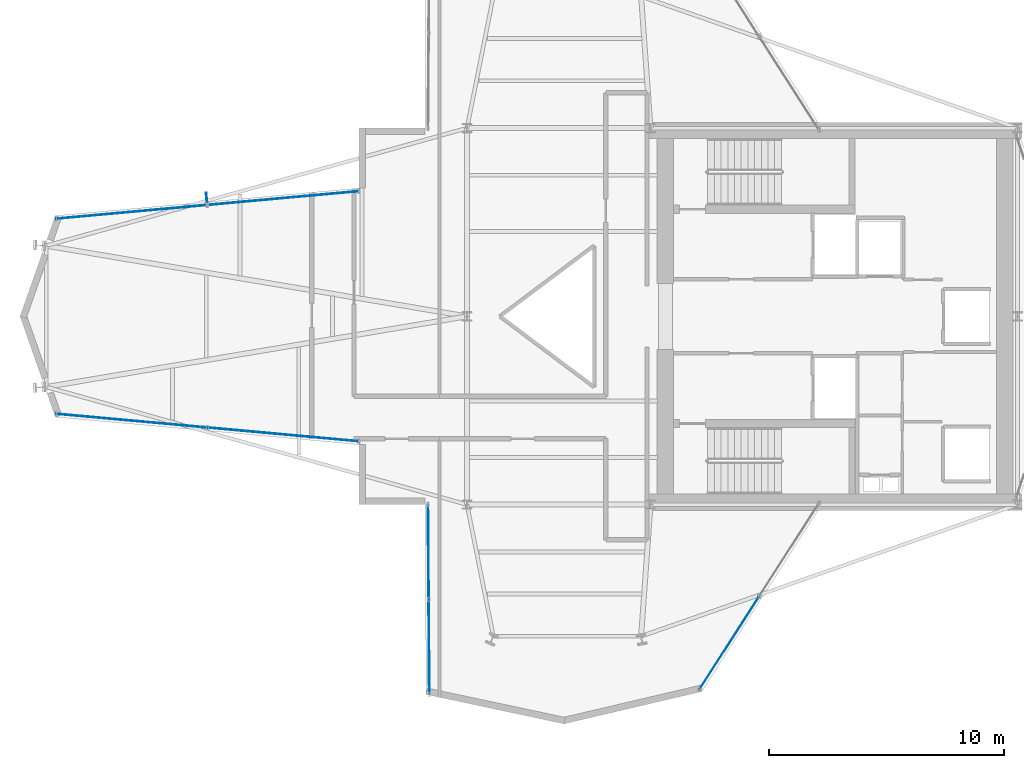
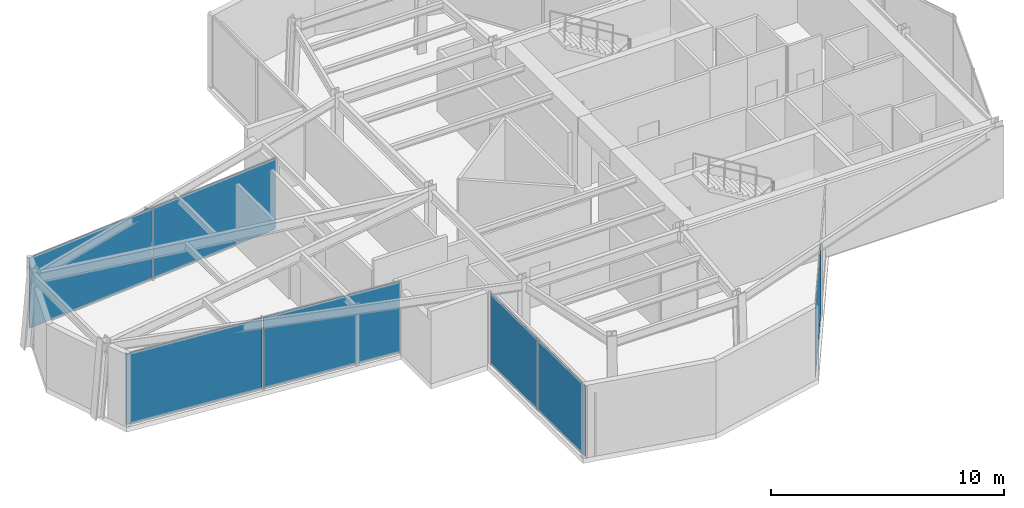
# One storey, part 18 of 23: 8 plates, 4 elements without a shape of their own.
"""IFC4 building model written with IfcOpenShell, lengths in metres."""

from ifc_helpers import new_model, si_unit, direction, frame, origin, origin_2d, place, context, subcontext, project, spatial, rectangle, extrude, material, layer, layer_set, type_object, element, aggregate, save


model = new_model("IFC4")

# Units and contexts
model_context = context("Model", 3, precision=1e-05, world=origin(), true_north=direction((0.0, 1.0)))
body_context = subcontext(model_context, "Body", "Model", "MODEL_VIEW")
ifc_project = project(units=[si_unit("LENGTHUNIT", "METRE"), si_unit("AREAUNIT", "SQUARE_METRE"), si_unit("VOLUMEUNIT", "CUBIC_METRE"), si_unit("PLANEANGLEUNIT", "RADIAN"), si_unit("MASSUNIT", "GRAM", prefix="KILO")], contexts=[model_context])

# Site, building, storey
site_placement = place(None, origin())
site = spatial("IfcSite", under=ifc_project, at=site_placement, CompositionType="ELEMENT")
building_placement = place(site_placement, origin())
building = spatial("IfcBuilding", under=site, at=building_placement, Name="Veymaron Broadcast Tower", CompositionType="ELEMENT")
storey_placement = place(building_placement, frame((0.0, 0.0, 199.949951171875)))
storey = spatial("IfcBuildingStorey", under=building, at=storey_placement, Name="L46", CompositionType="ELEMENT", Elevation=199.949951171875)

# Curtain wall, plates
ifc_material_1 = material(Name="Anodised aluminium AA 6063-T6 and laminated low-E dark glass", Category="aluminium")
ifc_layer_1 = layer(ifc_material_1, 0.179931640625)
ifc_layer_set_1 = layer_set([ifc_layer_1], Name="Anodised aluminium AA 6063-T6 and laminated low-E dark glass")
curtain_wall_type = type_object("IfcCurtainWallType", Name="CW-SYS-05", PredefinedType="NOTDEFINED", material=ifc_layer_set_1)
curtain_wall_1_placement = place(storey_placement, origin())
curtain_wall_1 = element("IfcCurtainWall", 1, at=curtain_wall_1_placement, inside=storey, type_object=curtain_wall_type, Name="L46 dark-glass curtain wall CW-L46-E11-1", PredefinedType="NOTDEFINED")
ifc_material_2 = material(Name="Double-silver solar-control dark glass IGU 32 mm", Category="glass")
ifc_layer_2 = layer(ifc_material_2, 0.031982421875)
ifc_layer_set_2 = layer_set([ifc_layer_2], Name="Double-silver solar-control dark glass IGU 32 mm")
plate_type_1 = type_object("IfcPlateType", Name="CW-PNL-02", PredefinedType="CURTAIN_PANEL", material=ifc_layer_set_2)
plate_1_placement = place(storey_placement, frame((23.3876953125, 29.0224609375, 0.0400390625), z_axis=(0.0, 0.0, 1.0), x_axis=(-0.995903358817, -0.090424000671, 0.0)))
plate_1 = element("IfcPlate", 2, at=plate_1_placement, type_object=plate_type_1, Name="CW-L46-E11-1 unitised curtain panel 0", PredefinedType="CURTAIN_PANEL", context=body_context, shape_type="SweptSolid", body=[
    extrude(rectangle(XDim=6.41650390625, YDim=0.031982421875, at=origin_2d()), origin(), (0.0, 0.0, 1.0), 3.7099609375),
])
plate_2_placement = place(storey_placement, frame((16.937744140625, 28.43701171875, 0.0400390625), z_axis=(0.0, 0.0, 1.0), x_axis=(-0.995903358817, -0.090424000671, 0.0)))
plate_2 = element("IfcPlate", 3, at=plate_2_placement, type_object=plate_type_1, Name="CW-L46-E11-1 unitised curtain panel 1", PredefinedType="CURTAIN_PANEL", context=body_context, shape_type="SweptSolid", body=[
    extrude(rectangle(XDim=6.41650390625, YDim=0.031982421875, at=origin_2d()), origin(), (0.0, 0.0, 1.0), 3.7099609375),
])
aggregate(curtain_wall_1, [plate_1, plate_2])

curtain_wall_2_placement = place(storey_placement, origin())
curtain_wall_2 = element("IfcCurtainWall", 4, at=curtain_wall_2_placement, inside=storey, type_object=curtain_wall_type, Name="L46 dark-glass curtain wall CW-L46-E14-1", PredefinedType="NOTDEFINED")
plate_3_placement = place(storey_placement, frame((16.937744140625, 19.56298828125, 0.0400390625), z_axis=(0.0, 0.0, 1.0), x_axis=(0.995903358817, -0.090424000671, 0.0)))
plate_3 = element("IfcPlate", 5, at=plate_3_placement, type_object=plate_type_1, Name="CW-L46-E14-1 unitised curtain panel 0", PredefinedType="CURTAIN_PANEL", context=body_context, shape_type="SweptSolid", body=[
    extrude(rectangle(XDim=6.41650390625, YDim=0.031982421875, at=origin_2d()), origin(), (0.0, 0.0, 1.0), 3.7099609375),
])
plate_4_placement = place(storey_placement, frame((23.3876953125, 18.9775390625, 0.0400390625), z_axis=(0.0, 0.0, 1.0), x_axis=(0.995903358817, -0.090424000671, 0.0)))
plate_4 = element("IfcPlate", 6, at=plate_4_placement, type_object=plate_type_1, Name="CW-L46-E14-1 unitised curtain panel 1", PredefinedType="CURTAIN_PANEL", context=body_context, shape_type="SweptSolid", body=[
    extrude(rectangle(XDim=6.41650390625, YDim=0.031982421875, at=origin_2d()), origin(), (0.0, 0.0, 1.0), 3.7099609375),
])
aggregate(curtain_wall_2, [plate_3, plate_4])

curtain_wall_3_placement = place(storey_placement, origin())
curtain_wall_3 = element("IfcCurtainWall", 7, at=curtain_wall_3_placement, inside=storey, type_object=curtain_wall_type, Name="L46 dark-glass curtain wall CW-L46-E17-1", PredefinedType="NOTDEFINED")
plate_5_placement = place(storey_placement, frame((29.56005859375, 13.982421875, 0.0400390625), z_axis=(0.0, 0.0, 1.0), x_axis=(0.007138336016, -0.999974521755, 0.0)))
plate_5 = element("IfcPlate", 8, at=plate_5_placement, type_object=plate_type_1, Name="CW-L46-E17-1 unitised curtain panel 0", PredefinedType="CURTAIN_PANEL", context=body_context, shape_type="SweptSolid", body=[
    extrude(rectangle(XDim=3.9775390625, YDim=0.031982421875, at=origin_2d()), origin(), (0.0, 0.0, 1.0), 3.7099609375),
])
plate_6_placement = place(storey_placement, frame((29.5888671875, 9.94482421875, 0.0400390625), z_axis=(0.0, 0.0, 1.0), x_axis=(0.007138336016, -0.999974521755, 0.0)))
plate_6 = element("IfcPlate", 9, at=plate_6_placement, type_object=plate_type_1, Name="CW-L46-E17-1 unitised curtain panel 1", PredefinedType="CURTAIN_PANEL", context=body_context, shape_type="SweptSolid", body=[
    extrude(rectangle(XDim=3.9775390625, YDim=0.031982421875, at=origin_2d()), origin(), (0.0, 0.0, 1.0), 3.7099609375),
])
aggregate(curtain_wall_3, [plate_5, plate_6])

# Curtain wall, plate
curtain_wall_4_placement = place(storey_placement, origin())
curtain_wall_4 = element("IfcCurtainWall", 10, at=curtain_wall_4_placement, inside=storey, type_object=curtain_wall_type, Name="L46 dark-glass curtain wall CW-L46-E20-1", PredefinedType="NOTDEFINED")
plate_7_placement = place(storey_placement, frame((42.343994140625, 10.113037109375, 0.0400390625), z_axis=(0.0, 0.0, 1.0), x_axis=(0.539961235236, 0.841689886147, 0.0)))
plate_7 = element("IfcPlate", 11, at=plate_7_placement, type_object=plate_type_1, Name="CW-L46-E20-1 unitised curtain panel 0", PredefinedType="CURTAIN_PANEL", context=body_context, shape_type="SweptSolid", body=[
    extrude(rectangle(XDim=4.66259765625, YDim=0.031982421875, at=origin_2d()), origin(), (0.0, 0.0, 1.0), 3.7099609375),
])
aggregate(curtain_wall_4, [plate_7])

# Plate
ifc_material_3 = material(Name="Dark-anodised aluminium AA 6061-T6", Category="aluminium")
ifc_layer_3 = layer(ifc_material_3, 0.031982421875)
ifc_layer_set_3 = layer_set([ifc_layer_3], Name="Dark-anodised aluminium AA 6061-T6")
plate_type_2 = type_object("IfcPlateType", Name="FIN-CHEV-03", PredefinedType="USERDEFINED", material=ifc_layer_set_3)
plate_8_placement = place(storey_placement, frame((20.1328125, 29.058349609375, 0.26513671875), z_axis=(0.0, 0.0, 1.0), x_axis=(-0.090424000671, 0.995903358817, 0.0)))
element("IfcPlate", 12, at=plate_8_placement, inside=storey, type_object=plate_type_2, Name="CW-L46-E11-1 chevron fin 1", ObjectType="FIN", PredefinedType="USERDEFINED", context=body_context, shape_type="SweptSolid", body=[
    extrude(rectangle(XDim=0.39990234375, YDim=0.034912109375, at=origin_2d()), origin(), (0.0, 0.0, 1.0), 3.259521484375),
])

save(model, "model.ifc")
